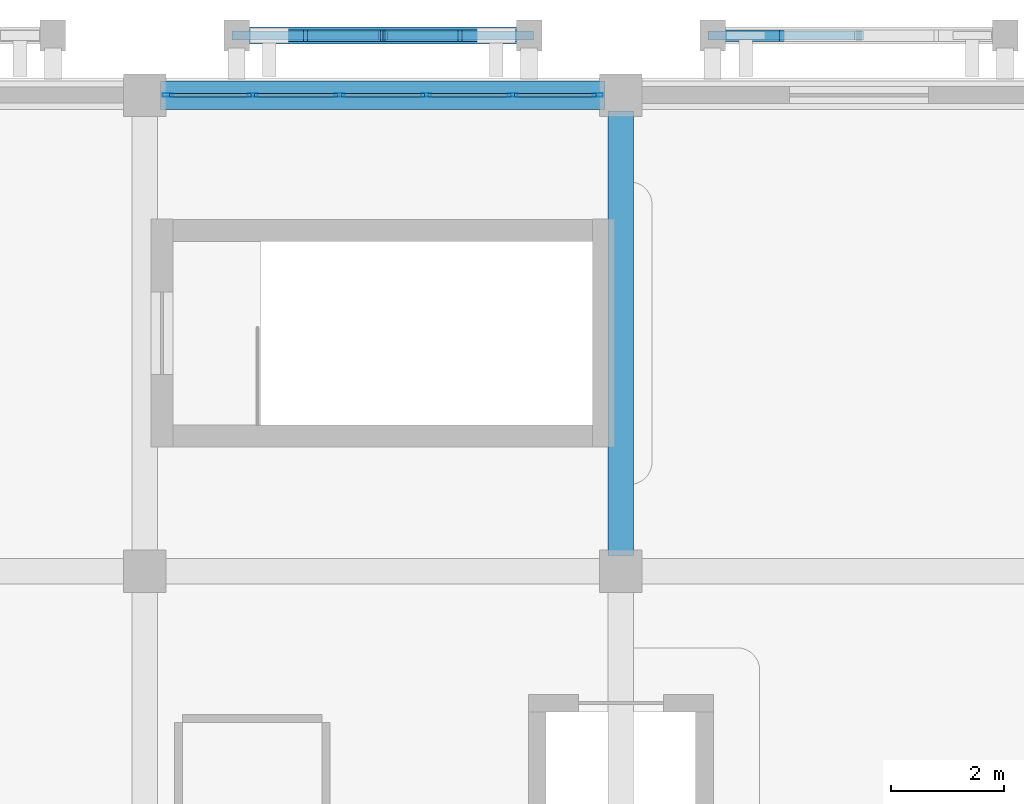
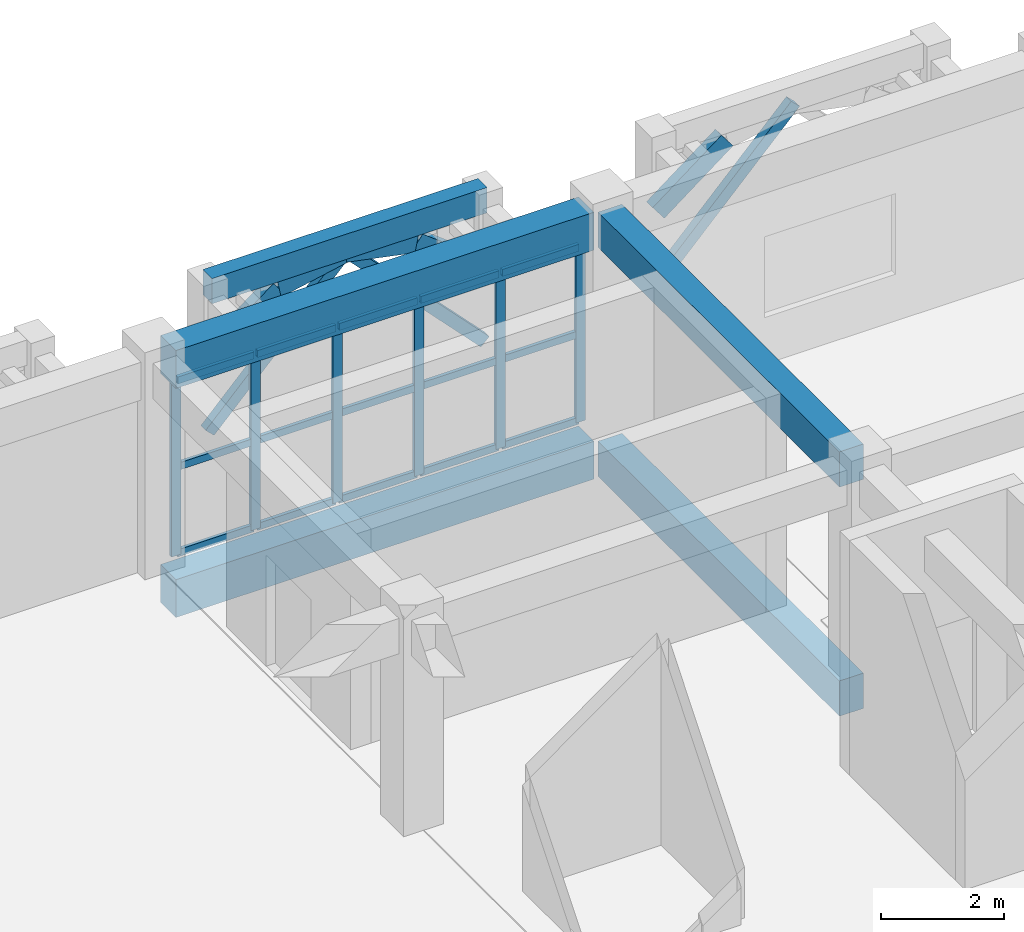
# One storey, part 81 of 114: 29 members, 5 beams, 1 element without a shape of its own.
"""IFC4 building model written with IfcOpenShell, lengths in metres."""

from ifc_helpers import new_model, si_unit, direction, frame, origin, origin_2d, place, context, subcontext, project, spatial, rectangle, hollow_rectangle, extrude, material, layer, layer_set, material_profile, profile_set, type_object, element, aggregate, save


model = new_model("IFC4")

# Units and contexts
model_context = context("Model", 3, precision=1e-05, world=origin(), true_north=direction((0.0, 1.0)))
body_context = subcontext(model_context, "Body", "Model", "MODEL_VIEW")
ifc_project = project(units=[si_unit("LENGTHUNIT", "METRE"), si_unit("AREAUNIT", "SQUARE_METRE"), si_unit("VOLUMEUNIT", "CUBIC_METRE"), si_unit("PLANEANGLEUNIT", "RADIAN"), si_unit("MASSUNIT", "GRAM", prefix="KILO")], contexts=[model_context])

# Site, building, storey
site_placement = place(None, origin())
site = spatial("IfcSite", under=ifc_project, at=site_placement, CompositionType="ELEMENT")
building_placement = place(site_placement, origin())
building = spatial("IfcBuilding", under=site, at=building_placement, Name="Xazarin Passage Department Store", CompositionType="ELEMENT")
storey_placement = place(building_placement, frame((0.0, 0.0, 14.39990234375)))
storey = spatial("IfcBuildingStorey", under=building, at=storey_placement, Name="L03", CompositionType="ELEMENT", Elevation=14.39990234375)

# Curtain wall, members
ifc_material_1 = material(Name="Bronze anodised aluminium", Category="aluminium")
ifc_layer = layer(ifc_material_1, 0.1650390625)
ifc_layer_set = layer_set([ifc_layer], Name="Bronze anodised aluminium")
curtain_wall_type = type_object("IfcCurtainWallType", Name="ARC-CW-OFF1", PredefinedType="NOTDEFINED", material=ifc_layer_set)
curtain_wall_placement = place(storey_placement, origin())
curtain_wall = element("IfcCurtainWall", 1, at=curtain_wall_placement, inside=storey, type_object=curtain_wall_type, Name="L03 V4 Curtain Wall 139", PredefinedType="NOTDEFINED")
ifc_material_profile_1 = material_profile(ifc_material_1, hollow_rectangle(XDim=0.06494140625, YDim=0.179931640625, WallThickness=0.00390625, at=origin_2d()), Name="ALU 65x180")
ifc_profile_set_1 = profile_set([ifc_material_profile_1], Name="Bronze anodised aluminium")
member_type_1 = type_object("IfcMemberType", Name="ARC-CWM-65x180", PredefinedType="MULLION", material=ifc_profile_set_1)
member_1_placement = place(storey_placement, frame((128.007568359375, 110.0, 0.0), z_axis=(0.0, 0.0, 1.0), x_axis=(0.0, 1.0, 0.0)))
member_1 = element("IfcMember", 2, at=member_1_placement, type_object=member_type_1, Name="CW6 mullion 1", PredefinedType="MULLION", context=body_context, shape_type="SweptSolid", body=[
    extrude(hollow_rectangle(XDim=0.06494140625, YDim=0.179931640625, WallThickness=0.00390625, at=origin_2d()), origin(), (0.0, 0.0, 1.0), 3.489990234375),
])
member_2_placement = place(storey_placement, frame((129.5048828125, 110.0, 0.0), z_axis=(0.0, 0.0, 1.0), x_axis=(0.0, 1.0, 0.0)))
member_2 = element("IfcMember", 3, at=member_2_placement, type_object=member_type_1, Name="CW6 mullion 2", PredefinedType="MULLION", context=body_context, shape_type="SweptSolid", body=[
    extrude(hollow_rectangle(XDim=0.06494140625, YDim=0.179931640625, WallThickness=0.00390625, at=origin_2d()), origin(), (0.0, 0.0, 1.0), 3.489990234375),
])
member_3_placement = place(storey_placement, frame((131.034912109375, 110.0, 0.0), z_axis=(0.0, 0.0, 1.0), x_axis=(0.0, 1.0, 0.0)))
member_3 = element("IfcMember", 4, at=member_3_placement, type_object=member_type_1, Name="CW6 mullion 3", PredefinedType="MULLION", context=body_context, shape_type="SweptSolid", body=[
    extrude(hollow_rectangle(XDim=0.06494140625, YDim=0.179931640625, WallThickness=0.00390625, at=origin_2d()), origin(), (0.0, 0.0, 1.0), 3.489990234375),
])
member_4_placement = place(storey_placement, frame((132.56494140625, 110.0, 0.0), z_axis=(0.0, 0.0, 1.0), x_axis=(0.0, 1.0, 0.0)))
member_4 = element("IfcMember", 5, at=member_4_placement, type_object=member_type_1, Name="CW6 mullion 4", PredefinedType="MULLION", context=body_context, shape_type="SweptSolid", body=[
    extrude(hollow_rectangle(XDim=0.06494140625, YDim=0.179931640625, WallThickness=0.00390625, at=origin_2d()), origin(), (0.0, 0.0, 1.0), 3.489990234375),
])
member_5_placement = place(storey_placement, frame((134.094970703125, 110.0, 0.0), z_axis=(0.0, 0.0, 1.0), x_axis=(0.0, 1.0, 0.0)))
member_5 = element("IfcMember", 6, at=member_5_placement, type_object=member_type_1, Name="CW6 mullion 5", PredefinedType="MULLION", context=body_context, shape_type="SweptSolid", body=[
    extrude(hollow_rectangle(XDim=0.06494140625, YDim=0.179931640625, WallThickness=0.00390625, at=origin_2d()), origin(), (0.0, 0.0, 1.0), 3.489990234375),
])
member_6_placement = place(storey_placement, frame((135.592529296875, 110.0, 0.0), z_axis=(0.0, 0.0, 1.0), x_axis=(0.0, 1.0, 0.0)))
member_6 = element("IfcMember", 7, at=member_6_placement, type_object=member_type_1, Name="CW6 mullion 6", PredefinedType="MULLION", context=body_context, shape_type="SweptSolid", body=[
    extrude(hollow_rectangle(XDim=0.06494140625, YDim=0.179931640625, WallThickness=0.00390625, at=origin_2d()), origin(), (0.0, 0.0, 1.0), 3.489990234375),
])
ifc_material_profile_2 = material_profile(ifc_material_1, hollow_rectangle(XDim=0.06494140625, YDim=0.139892578125, WallThickness=0.00390625, at=origin_2d()), Name="ALU 65x140")
ifc_profile_set_2 = profile_set([ifc_material_profile_2], Name="Bronze anodised aluminium")
member_type_2 = type_object("IfcMemberType", Name="ARC-CWT-65x140", PredefinedType="USERDEFINED", material=ifc_profile_set_2)
member_7_placement = place(storey_placement, frame((128.0400390625, 110.0, 0.03271484375), z_axis=(1.0, 0.0, 0.0), x_axis=(0.0, 1.0, 0.0)))
member_7 = element("IfcMember", 8, at=member_7_placement, type_object=member_type_2, Name="CW6 transom 1.1", ObjectType="TRANSOM", PredefinedType="USERDEFINED", context=body_context, shape_type="SweptSolid", body=[
    extrude(hollow_rectangle(XDim=0.06494140625, YDim=0.139892578125, WallThickness=0.00390625, at=origin_2d()), origin(), (0.0, 0.0, 1.0), 1.432373046875),
])
member_8_placement = place(storey_placement, frame((128.0400390625, 110.0, 1.7451171875), z_axis=(1.0, 0.0, 0.0), x_axis=(0.0, 1.0, 0.0)))
member_8 = element("IfcMember", 9, at=member_8_placement, type_object=member_type_2, Name="CW6 transom 1.2", ObjectType="TRANSOM", PredefinedType="USERDEFINED", context=body_context, shape_type="SweptSolid", body=[
    extrude(hollow_rectangle(XDim=0.06494140625, YDim=0.139892578125, WallThickness=0.00390625, at=origin_2d()), origin(), (0.0, 0.0, 1.0), 1.432373046875),
])
member_9_placement = place(storey_placement, frame((128.0400390625, 110.0, 3.45751953125), z_axis=(1.0, 0.0, 0.0), x_axis=(0.0, 1.0, 0.0)))
member_9 = element("IfcMember", 10, at=member_9_placement, type_object=member_type_2, Name="CW6 transom 1.3", ObjectType="TRANSOM", PredefinedType="USERDEFINED", context=body_context, shape_type="SweptSolid", body=[
    extrude(hollow_rectangle(XDim=0.06494140625, YDim=0.139892578125, WallThickness=0.00390625, at=origin_2d()), origin(), (0.0, 0.0, 1.0), 1.432373046875),
])
member_10_placement = place(storey_placement, frame((129.53759765625, 110.0, 0.03271484375), z_axis=(1.0, 0.0, 0.0), x_axis=(0.0, 1.0, 0.0)))
member_10 = element("IfcMember", 11, at=member_10_placement, type_object=member_type_2, Name="CW6 transom 2.1", ObjectType="TRANSOM", PredefinedType="USERDEFINED", context=body_context, shape_type="SweptSolid", body=[
    extrude(hollow_rectangle(XDim=0.06494140625, YDim=0.139892578125, WallThickness=0.00390625, at=origin_2d()), origin(), (0.0, 0.0, 1.0), 1.46484375),
])
member_11_placement = place(storey_placement, frame((129.53759765625, 110.0, 1.7451171875), z_axis=(1.0, 0.0, 0.0), x_axis=(0.0, 1.0, 0.0)))
member_11 = element("IfcMember", 12, at=member_11_placement, type_object=member_type_2, Name="CW6 transom 2.2", ObjectType="TRANSOM", PredefinedType="USERDEFINED", context=body_context, shape_type="SweptSolid", body=[
    extrude(hollow_rectangle(XDim=0.06494140625, YDim=0.139892578125, WallThickness=0.00390625, at=origin_2d()), origin(), (0.0, 0.0, 1.0), 1.46484375),
])
member_12_placement = place(storey_placement, frame((129.53759765625, 110.0, 3.45751953125), z_axis=(1.0, 0.0, 0.0), x_axis=(0.0, 1.0, 0.0)))
member_12 = element("IfcMember", 13, at=member_12_placement, type_object=member_type_2, Name="CW6 transom 2.3", ObjectType="TRANSOM", PredefinedType="USERDEFINED", context=body_context, shape_type="SweptSolid", body=[
    extrude(hollow_rectangle(XDim=0.06494140625, YDim=0.139892578125, WallThickness=0.00390625, at=origin_2d()), origin(), (0.0, 0.0, 1.0), 1.46484375),
])
member_13_placement = place(storey_placement, frame((131.0673828125, 110.0, 0.03271484375), z_axis=(1.0, 0.0, 0.0), x_axis=(0.0, 1.0, 0.0)))
member_13 = element("IfcMember", 14, at=member_13_placement, type_object=member_type_2, Name="CW6 transom 3.1", ObjectType="TRANSOM", PredefinedType="USERDEFINED", context=body_context, shape_type="SweptSolid", body=[
    extrude(hollow_rectangle(XDim=0.06494140625, YDim=0.139892578125, WallThickness=0.00390625, at=origin_2d()), origin(), (0.0, 0.0, 1.0), 1.465087890625),
])
member_14_placement = place(storey_placement, frame((131.0673828125, 110.0, 1.7451171875), z_axis=(1.0, 0.0, 0.0), x_axis=(0.0, 1.0, 0.0)))
member_14 = element("IfcMember", 15, at=member_14_placement, type_object=member_type_2, Name="CW6 transom 3.2", ObjectType="TRANSOM", PredefinedType="USERDEFINED", context=body_context, shape_type="SweptSolid", body=[
    extrude(hollow_rectangle(XDim=0.06494140625, YDim=0.139892578125, WallThickness=0.00390625, at=origin_2d()), origin(), (0.0, 0.0, 1.0), 1.465087890625),
])
member_15_placement = place(storey_placement, frame((131.0673828125, 110.0, 3.45751953125), z_axis=(1.0, 0.0, 0.0), x_axis=(0.0, 1.0, 0.0)))
member_15 = element("IfcMember", 16, at=member_15_placement, type_object=member_type_2, Name="CW6 transom 3.3", ObjectType="TRANSOM", PredefinedType="USERDEFINED", context=body_context, shape_type="SweptSolid", body=[
    extrude(hollow_rectangle(XDim=0.06494140625, YDim=0.139892578125, WallThickness=0.00390625, at=origin_2d()), origin(), (0.0, 0.0, 1.0), 1.465087890625),
])
member_16_placement = place(storey_placement, frame((132.597412109375, 110.0, 0.03271484375), z_axis=(1.0, 0.0, 0.0), x_axis=(0.0, 1.0, 0.0)))
member_16 = element("IfcMember", 17, at=member_16_placement, type_object=member_type_2, Name="CW6 transom 4.1", ObjectType="TRANSOM", PredefinedType="USERDEFINED", context=body_context, shape_type="SweptSolid", body=[
    extrude(hollow_rectangle(XDim=0.06494140625, YDim=0.139892578125, WallThickness=0.00390625, at=origin_2d()), origin(), (0.0, 0.0, 1.0), 1.465087890625),
])
member_17_placement = place(storey_placement, frame((132.597412109375, 110.0, 1.7451171875), z_axis=(1.0, 0.0, 0.0), x_axis=(0.0, 1.0, 0.0)))
member_17 = element("IfcMember", 18, at=member_17_placement, type_object=member_type_2, Name="CW6 transom 4.2", ObjectType="TRANSOM", PredefinedType="USERDEFINED", context=body_context, shape_type="SweptSolid", body=[
    extrude(hollow_rectangle(XDim=0.06494140625, YDim=0.139892578125, WallThickness=0.00390625, at=origin_2d()), origin(), (0.0, 0.0, 1.0), 1.465087890625),
])
member_18_placement = place(storey_placement, frame((132.597412109375, 110.0, 3.45751953125), z_axis=(1.0, 0.0, 0.0), x_axis=(0.0, 1.0, 0.0)))
member_18 = element("IfcMember", 19, at=member_18_placement, type_object=member_type_2, Name="CW6 transom 4.3", ObjectType="TRANSOM", PredefinedType="USERDEFINED", context=body_context, shape_type="SweptSolid", body=[
    extrude(hollow_rectangle(XDim=0.06494140625, YDim=0.139892578125, WallThickness=0.00390625, at=origin_2d()), origin(), (0.0, 0.0, 1.0), 1.465087890625),
])
member_19_placement = place(storey_placement, frame((134.12744140625, 110.0, 0.03271484375), z_axis=(1.0, 0.0, 0.0), x_axis=(0.0, 1.0, 0.0)))
member_19 = element("IfcMember", 20, at=member_19_placement, type_object=member_type_2, Name="CW6 transom 5.1", ObjectType="TRANSOM", PredefinedType="USERDEFINED", context=body_context, shape_type="SweptSolid", body=[
    extrude(hollow_rectangle(XDim=0.06494140625, YDim=0.139892578125, WallThickness=0.00390625, at=origin_2d()), origin(), (0.0, 0.0, 1.0), 1.4326171875),
])
member_20_placement = place(storey_placement, frame((134.12744140625, 110.0, 1.7451171875), z_axis=(1.0, 0.0, 0.0), x_axis=(0.0, 1.0, 0.0)))
member_20 = element("IfcMember", 21, at=member_20_placement, type_object=member_type_2, Name="CW6 transom 5.2", ObjectType="TRANSOM", PredefinedType="USERDEFINED", context=body_context, shape_type="SweptSolid", body=[
    extrude(hollow_rectangle(XDim=0.06494140625, YDim=0.139892578125, WallThickness=0.00390625, at=origin_2d()), origin(), (0.0, 0.0, 1.0), 1.4326171875),
])
member_21_placement = place(storey_placement, frame((134.12744140625, 110.0, 3.45751953125), z_axis=(1.0, 0.0, 0.0), x_axis=(0.0, 1.0, 0.0)))
member_21 = element("IfcMember", 22, at=member_21_placement, type_object=member_type_2, Name="CW6 transom 5.3", ObjectType="TRANSOM", PredefinedType="USERDEFINED", context=body_context, shape_type="SweptSolid", body=[
    extrude(hollow_rectangle(XDim=0.06494140625, YDim=0.139892578125, WallThickness=0.00390625, at=origin_2d()), origin(), (0.0, 0.0, 1.0), 1.4326171875),
])
aggregate(curtain_wall, [member_1, member_2, member_3, member_4, member_5, member_6, member_7, member_8, member_9, member_10, member_11, member_12, member_13, member_14, member_15, member_16, member_17, member_18, member_19, member_20, member_21])

# Beams
ifc_material_2 = material(Name="Concrete C35/45", Category="concrete")
ifc_material_profile_3 = material_profile(ifc_material_2, rectangle(XDim=0.449951171875, YDim=0.699951171875, at=origin_2d()), Name="RC 450x700")
ifc_profile_set_3 = profile_set([ifc_material_profile_3], Name="Concrete C35/45")
beam_type_1 = type_object("IfcBeamType", Name="STR-BM-G450x700", PredefinedType="BEAM", material=ifc_profile_set_3)
for number, where, z_axis, x_axis, name in (
    (23, (136.0, 101.8798828125, -0.64990234375), (0.0, 1.0, 0.0), (-1.0, 0.0, 0.0), "L03 Grid Beam 19/P-Q"),
    (24, (136.0, 101.8798828125, 3.89013671875), (0.0, 1.0, 0.0), (-1.0, 0.0, 0.0), "L03 Grid Beam 19/P-Q"),
):
    element("IfcBeam", number, at=place(storey_placement, frame(where, z_axis=z_axis, x_axis=x_axis)), inside=storey, type_object=beam_type_1, Name=name, PredefinedType="BEAM", context=body_context, shape_type="SweptSolid", body=[
        extrude(rectangle(XDim=0.449951171875, YDim=0.699951171875, at=origin_2d()), origin(), (0.0, 0.0, 1.0), 7.840087890625),
    ])
ifc_material_profile_4 = material_profile(ifc_material_2, rectangle(XDim=0.300048828125, YDim=0.5, at=origin_2d()), Name="RC 300x500")
ifc_profile_set_4 = profile_set([ifc_material_profile_4], Name="Concrete C35/45")
beam_type_2 = type_object("IfcBeamType", Name="STR-BM-LN300x500", PredefinedType="LINTEL", material=ifc_profile_set_4)
beam_placement = place(storey_placement, frame((129.219970703125, 111.050048828125, 4.25), z_axis=(1.0, 0.0, 0.0), x_axis=(0.0, 1.0, 0.0)))
element("IfcBeam", 25, at=beam_placement, inside=storey, type_object=beam_type_2, Name="L03 V4 Colonnade Spandrel Beam 043", PredefinedType="LINTEL", context=body_context, shape_type="SweptSolid", body=[
    extrude(rectangle(XDim=0.300048828125, YDim=0.5, at=origin_2d()), origin(), (0.0, 0.0, 1.0), 5.159912109375),
])
ifc_material_profile_5 = material_profile(ifc_material_2, rectangle(XDim=0.5, YDim=0.75, at=origin_2d()), Name="RC 500x750")
ifc_profile_set_5 = profile_set([ifc_material_profile_5], Name="Concrete C35/45")
beam_type_3 = type_object("IfcBeamType", Name="STR-BM-SP500x750", PredefinedType="SPANDREL", material=ifc_profile_set_5)
for number, where, z_axis, x_axis, name in (
    (26, (127.8798828125, 110.0, -0.6748046875), (1.0, 0.0, 0.0), (0.0, 1.0, 0.0), "L03 Grid Beam Q/18-19"),
    (27, (127.8798828125, 110.0, 3.864990234375), (1.0, 0.0, 0.0), (0.0, 1.0, 0.0), "L03 Grid Beam Q/18-19"),
):
    element("IfcBeam", number, at=place(storey_placement, frame(where, z_axis=z_axis, x_axis=x_axis)), inside=storey, type_object=beam_type_3, Name=name, PredefinedType="SPANDREL", context=body_context, shape_type="SweptSolid", body=[
        extrude(rectangle(XDim=0.5, YDim=0.75, at=origin_2d()), origin(), (0.0, 0.0, 1.0), 7.840087890625),
    ])

# Members
ifc_material_3 = material(Name="Concrete C40/50", Category="concrete")
ifc_material_profile_6 = material_profile(ifc_material_3, rectangle(XDim=0.199951171875, YDim=0.360107421875, at=origin_2d()), Name="RC 200x360")
ifc_profile_set_6 = profile_set([ifc_material_profile_6], Name="Concrete C40/50")
member_type_3 = type_object("IfcMemberType", Name="STR-MEM-ARC360", PredefinedType="CHORD", material=ifc_profile_set_6)
member_22_placement = place(storey_placement, frame((129.219970703125, 111.050048828125, 2.830078125), z_axis=(0.79440903847, 0.0, 0.607383140692), x_axis=(0.0, 1.0, 0.0)))
element("IfcMember", 28, at=member_22_placement, inside=storey, type_object=member_type_3, Name="L03 V4 Pierced Lattice Curved Arch 043.1", PredefinedType="CHORD", context=body_context, shape_type="SweptSolid", body=[
    extrude(rectangle(XDim=0.199951171875, YDim=0.360107421875, at=origin_2d()), origin(), (0.0, 0.0, 1.0), 1.623779296875),
])
for number, where, z_axis, x_axis, name in (
    (29, (130.510009765625, 111.050048828125, 3.81640625), (0.979744705887, 0.0, 0.200250621188), (0.0, 1.0, 0.0), "L03 V4 Pierced Lattice Curved Arch 043.2"),
    (30, (131.800048828125, 111.050048828125, 4.080078125), (0.979744705887, 0.0, -0.200250621188), (0.0, 1.0, 0.0), "L03 V4 Pierced Lattice Curved Arch 043.3"),
):
    element("IfcMember", number, at=place(storey_placement, frame(where, z_axis=z_axis, x_axis=x_axis)), inside=storey, type_object=member_type_3, Name=name, PredefinedType="CHORD", context=body_context, shape_type="SweptSolid", body=[
        extrude(rectangle(XDim=0.199951171875, YDim=0.360107421875, at=origin_2d()), origin(), (0.0, 0.0, 1.0), 1.316650390625),
    ])
for number, where, z_axis, x_axis, name in (
    (31, (133.090087890625, 111.050048828125, 3.81640625), (0.794353565088, 0.0, -0.607455688616), (0.0, 1.0, 0.0), "L03 V4 Pierced Lattice Curved Arch 043.4"),
    (32, (137.6201171875, 111.050048828125, 2.830078125), (0.794353565088, 0.0, 0.607455688616), (0.0, 1.0, 0.0), "L03 V4 Pierced Lattice Curved Arch 044.1"),
):
    element("IfcMember", number, at=place(storey_placement, frame(where, z_axis=z_axis, x_axis=x_axis)), inside=storey, type_object=member_type_3, Name=name, PredefinedType="CHORD", context=body_context, shape_type="SweptSolid", body=[
        extrude(rectangle(XDim=0.199951171875, YDim=0.360107421875, at=origin_2d()), origin(), (0.0, 0.0, 1.0), 1.623779296875),
    ])
ifc_material_profile_7 = material_profile(ifc_material_3, rectangle(XDim=0.159912109375, YDim=0.219970703125, at=origin_2d()), Name="RC 160x220")
ifc_profile_set_7 = profile_set([ifc_material_profile_7], Name="Concrete C40/50")
member_type_4 = type_object("IfcMemberType", Name="STR-MEM-TRC220", PredefinedType="CHORD", material=ifc_profile_set_7)
for number, where, z_axis, x_axis, name in (
    (33, (131.800048828125, 111.050048828125, 4.080078125), (-0.693558444435, 0.0, -0.720400363793), (0.0, -1.0, 0.0), "L03 V4 Upper Lattice Tracery Arch 043L"),
    (34, (131.800048828125, 111.050048828125, 4.080078125), (0.693524382622, 0.0, -0.72043315492), (0.0, 1.0, 0.0), "L03 V4 Upper Lattice Tracery Arch 043R"),
    (35, (140.199951171875, 111.050048828125, 4.080078125), (-0.693524382622, 0.0, -0.72043315492), (0.0, -1.0, 0.0), "L03 V4 Upper Lattice Tracery Arch 044L"),
):
    element("IfcMember", number, at=place(storey_placement, frame(where, z_axis=z_axis, x_axis=x_axis)), inside=storey, type_object=member_type_4, Name=name, PredefinedType="CHORD", context=body_context, shape_type="SweptSolid", body=[
        extrude(rectangle(XDim=0.159912109375, YDim=0.219970703125, at=origin_2d()), origin(), (0.0, 0.0, 1.0), 3.719970703125),
    ])

save(model, "model.ifc")
